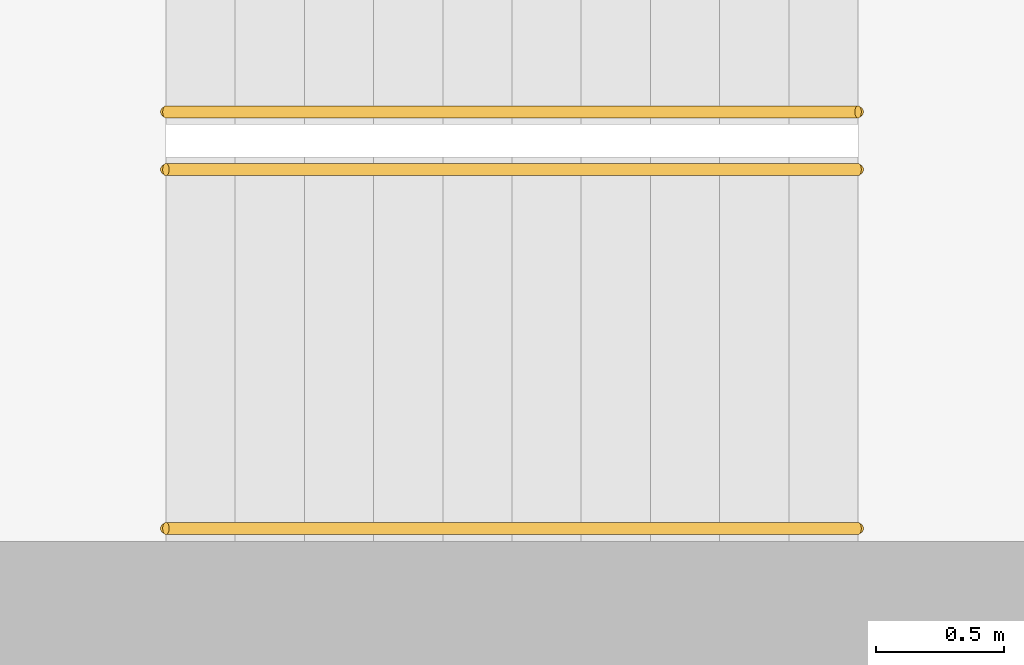
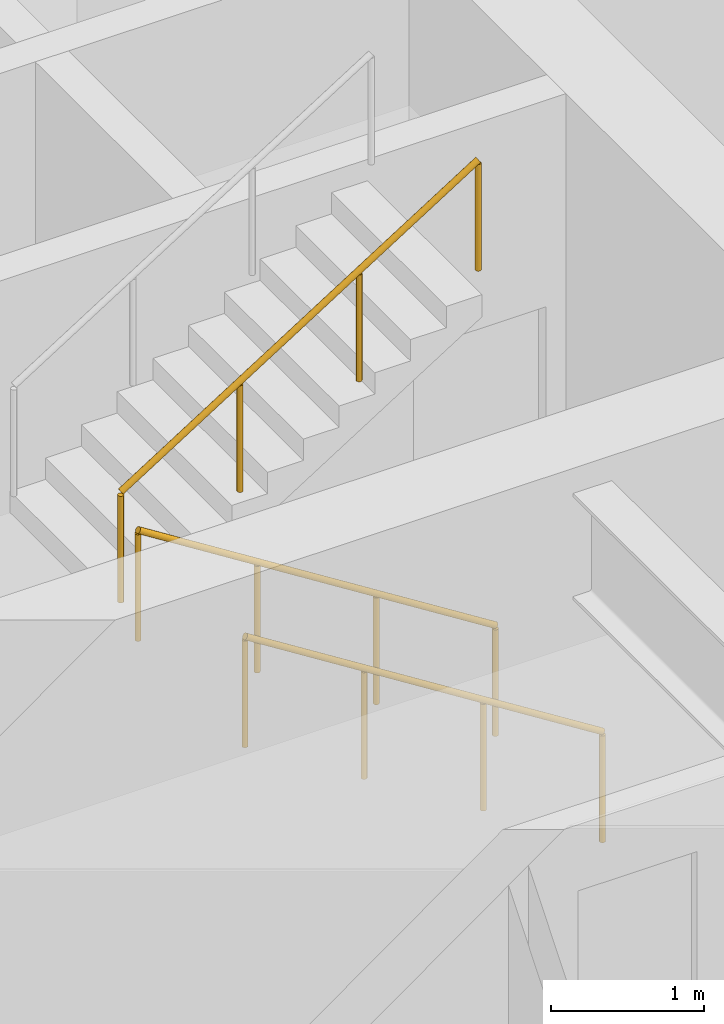
# One storey, part 14 of 18: 3 railings.
"""IFC4 building model written with IfcOpenShell, lengths in metres."""

from ifc_helpers import new_model, si_unit, direction, frame, origin, origin_2d, place, context, subcontext, project, spatial, circle, extrude, material, type_object, element, save


model = new_model("IFC4")

# Units and contexts
model_context = context("Model", 3, precision=1e-05, world=origin(), true_north=direction((0.0, 1.0)))
body_context = subcontext(model_context, "Body", "Model", "MODEL_VIEW")
ifc_project = project(units=[si_unit("LENGTHUNIT", "METRE"), si_unit("AREAUNIT", "SQUARE_METRE"), si_unit("VOLUMEUNIT", "CUBIC_METRE"), si_unit("PLANEANGLEUNIT", "RADIAN"), si_unit("MASSUNIT", "GRAM", prefix="KILO")], contexts=[model_context])

# Site, building, storey
site_placement = place(None, origin())
site = spatial("IfcSite", under=ifc_project, at=site_placement, CompositionType="ELEMENT")
building_placement = place(site_placement, origin())
building = spatial("IfcBuilding", under=site, at=building_placement, Name="Msasa Ring Tower", CompositionType="ELEMENT")
storey_placement = place(building_placement, frame((0.0, 0.0, 204.550048828125)))
storey = spatial("IfcBuildingStorey", under=building, at=storey_placement, Name="L53", CompositionType="ELEMENT", Elevation=204.550048828125)

# Railings
ifc_material = material(Name="Stainless steel", Category="steel")
railing_type = type_object("IfcRailingType", Name="HR1 HANDRAIL 900", PredefinedType="HANDRAIL", material=ifc_material)
for number, where, name in (
    (1, (-10.800048828125, -6.39990234375, 0.17041015625), "Handrail stair SWA L53 1"),
    (2, (-10.800048828125, -5.0, 0.17041015625), "Handrail stair SWA L53 2"),
):
    element("IfcRailing", number, at=place(storey_placement, frame(where)), inside=storey, type_object=railing_type, Name=name, PredefinedType="HANDRAIL", context=body_context, shape_type="SweptSolid", body=[
        extrude(circle(Radius=0.02392578125, at=origin_2d()), frame((0.0, 0.0, 0.8759765625), z_axis=(-0.845579735284, 0.0, 0.533849146555), x_axis=(0.0, -1.0, 0.0)), (0.0, 0.0, 1.0), 3.193115234375),
        extrude(circle(Radius=0.02099609375, at=origin_2d()), origin(), (0.0, 0.0, 1.0), 0.851806640625),
        extrude(circle(Radius=0.02099609375, at=origin_2d()), frame((-0.89990234375, 0.0, 0.568115234375)), (0.0, 0.0, 1.0), 0.851806640625),
        extrude(circle(Radius=0.02099609375, at=origin_2d()), frame((-1.800048828125, 0.0, 1.136474609375)), (0.0, 0.0, 1.0), 0.851806640625),
        extrude(circle(Radius=0.02099609375, at=origin_2d()), frame((-2.699951171875, 0.0, 1.70458984375)), (0.0, 0.0, 1.0), 0.851806640625),
    ])
railing_placement = place(storey_placement, frame((-13.5, -4.77490234375, 2.04541015625)))
element("IfcRailing", 3, at=railing_placement, inside=storey, type_object=railing_type, Name="Handrail stair SWA L53 3", PredefinedType="HANDRAIL", context=body_context, shape_type="SweptSolid", body=[
    extrude(circle(Radius=0.02392578125, at=origin_2d()), frame((0.0, 0.0, 0.8759765625), z_axis=(0.845579735284, 0.0, 0.533849146555), x_axis=(0.0, 1.0, 0.0)), (0.0, 0.0, 1.0), 3.193115234375),
    extrude(circle(Radius=0.02099609375, at=origin_2d()), origin(), (0.0, 0.0, 1.0), 0.851806640625),
    extrude(circle(Radius=0.02099609375, at=origin_2d()), frame((0.89990234375, 0.0, 0.568115234375)), (0.0, 0.0, 1.0), 0.851806640625),
    extrude(circle(Radius=0.02099609375, at=origin_2d()), frame((1.800048828125, 0.0, 1.136474609375)), (0.0, 0.0, 1.0), 0.851806640625),
    extrude(circle(Radius=0.02099609375, at=origin_2d()), frame((2.699951171875, 0.0, 1.70458984375)), (0.0, 0.0, 1.0), 0.851806640625),
])

save(model, "model.ifc")
